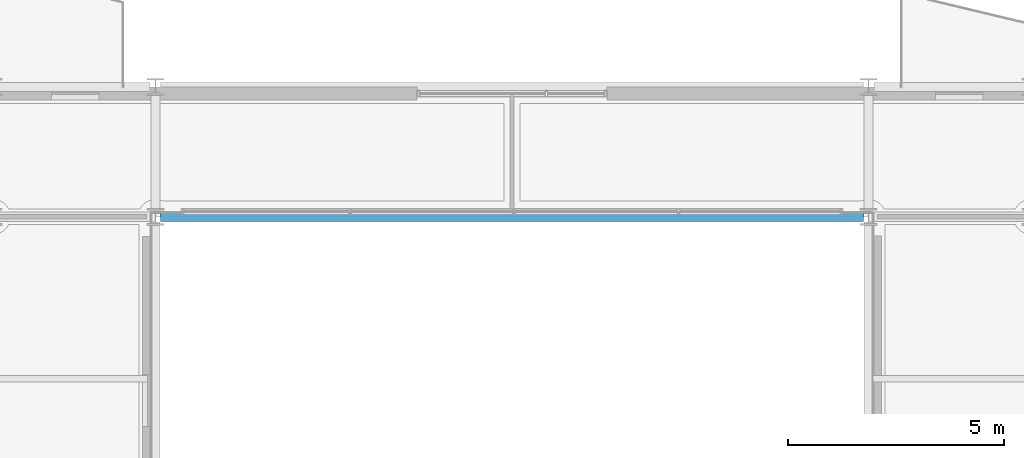
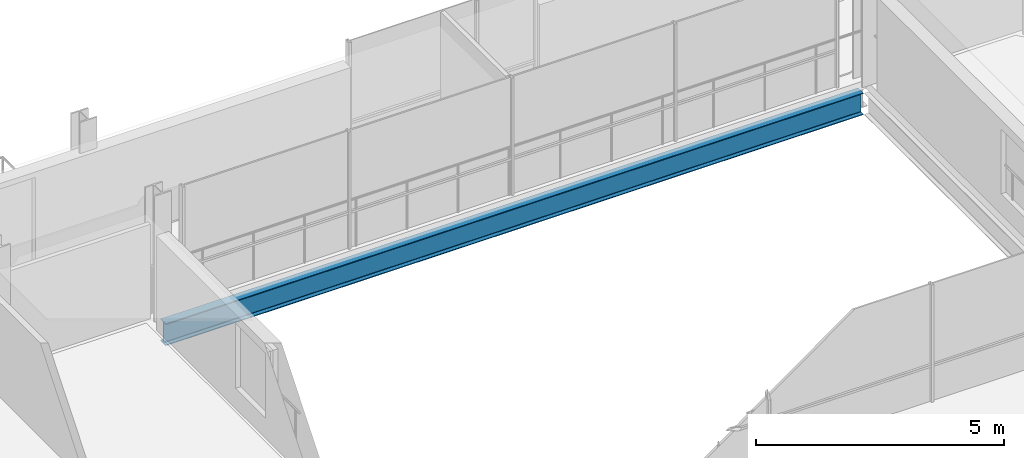
# One storey, part 11 of 35: 1 beam.
"""IFC4 building model written with IfcOpenShell, lengths in metres."""

from ifc_helpers import new_model, si_unit, direction, frame, origin, origin_2d, place, context, subcontext, project, spatial, i_section, extrude, material, material_profile, profile_set, type_object, element, save


model = new_model("IFC4")

# Units and contexts
model_context = context("Model", 3, precision=1e-05, world=origin(), true_north=direction((0.0, 1.0)))
body_context = subcontext(model_context, "Body", "Model", "MODEL_VIEW")
ifc_project = project(units=[si_unit("LENGTHUNIT", "METRE"), si_unit("AREAUNIT", "SQUARE_METRE"), si_unit("VOLUMEUNIT", "CUBIC_METRE"), si_unit("PLANEANGLEUNIT", "RADIAN"), si_unit("MASSUNIT", "GRAM", prefix="KILO")], contexts=[model_context])

# Site, building, storey
site_placement = place(None, origin())
site = spatial("IfcSite", under=ifc_project, at=site_placement, CompositionType="ELEMENT")
building_placement = place(site_placement, origin())
building = spatial("IfcBuilding", under=site, at=building_placement, Name="Brevholm Reach", CompositionType="ELEMENT")
storey_placement = place(building_placement, frame((0.0, 0.0, 183.199951171875)))
storey = spatial("IfcBuildingStorey", under=building, at=storey_placement, Name="L55", CompositionType="ELEMENT", Elevation=183.199951171875)

# Beam
ifc_material = material(Name="Structural Steel S355J2", Category="steel")
ifc_material_profile = material_profile(ifc_material, i_section(OverallWidth=0.210693359375, OverallDepth=0.53955078125, WebThickness=0.01171875, FlangeThickness=0.018798828125, FilletRadius=0.0126953125, at=origin_2d()), Name="UKB 533x210x109")
ifc_profile_set = profile_set([ifc_material_profile], Name="Structural Steel S355J2")
beam_type = type_object("IfcBeamType", Name="BM-SP539", PredefinedType="SPANDREL", material=ifc_profile_set)
beam_placement = place(storey_placement, frame((21.8701171875, 23.5, -0.479736328125), z_axis=(1.0, 0.0, 0.0), x_axis=(0.0, 1.0, 0.0)))
element("IfcBeam", 1, at=beam_placement, inside=storey, type_object=beam_type, Name="L55 SP-01B Framing Beam", PredefinedType="SPANDREL", context=body_context, shape_type="SweptSolid", body=[
    extrude(i_section(OverallWidth=0.210693359375, OverallDepth=0.53955078125, WebThickness=0.01171875, FlangeThickness=0.018798828125, FilletRadius=0.0126953125, at=origin_2d()), origin(), (0.0, 0.0, 1.0), 16.259765625),
])

save(model, "model.ifc")
